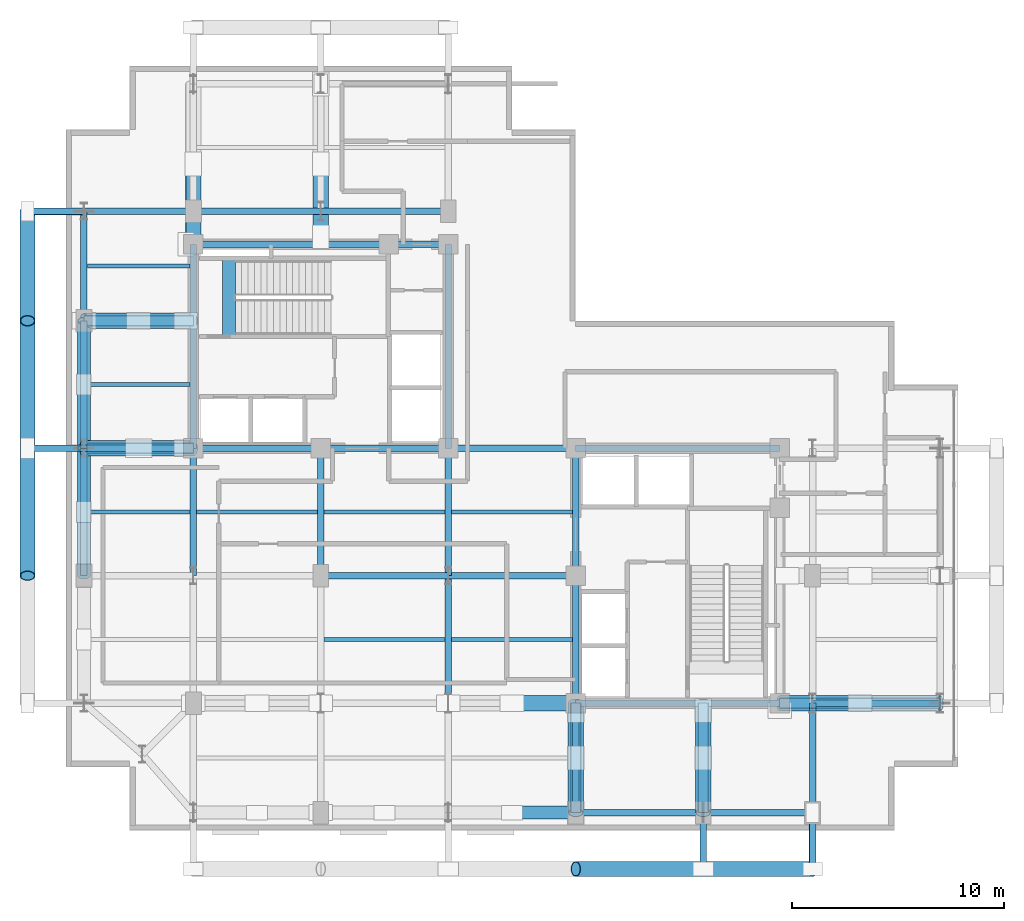
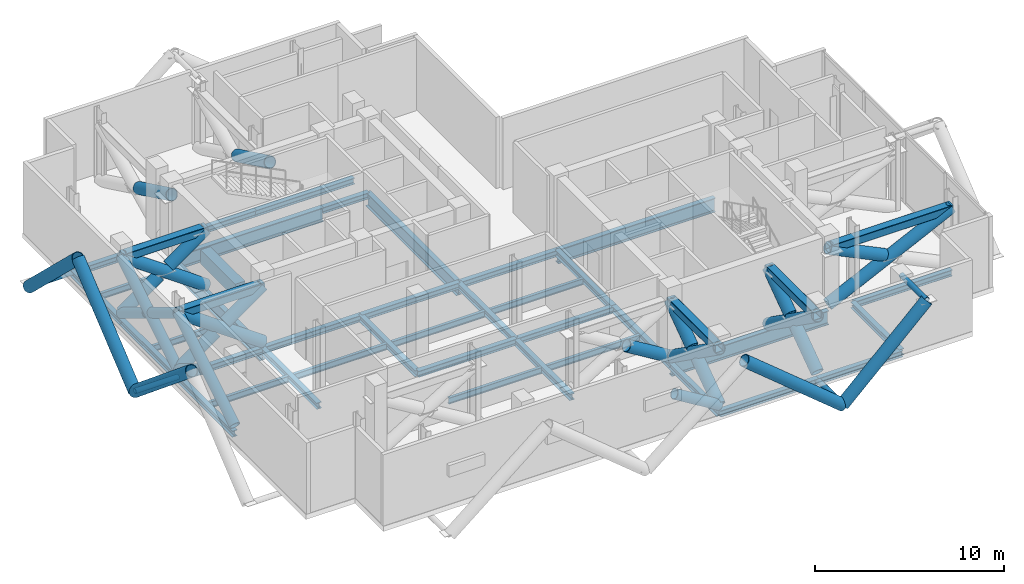
# One storey, part 2 of 8: 38 beams, 37 members.
"""IFC4 building model written with IfcOpenShell, lengths in metres."""

from ifc_helpers import new_model, si_unit, direction, frame, origin, origin_2d, place, context, subcontext, project, spatial, rectangle, hollow_rectangle, hollow_circle, i_section, extrude, material, material_profile, profile_set, type_object, element, save


model = new_model("IFC4")

# Units and contexts
model_context = context("Model", 3, precision=1e-05, world=origin(), true_north=direction((0.0, 1.0)))
body_context = subcontext(model_context, "Body", "Model", "MODEL_VIEW")
ifc_project = project(units=[si_unit("LENGTHUNIT", "METRE"), si_unit("AREAUNIT", "SQUARE_METRE"), si_unit("VOLUMEUNIT", "CUBIC_METRE"), si_unit("PLANEANGLEUNIT", "RADIAN"), si_unit("MASSUNIT", "GRAM", prefix="KILO"), si_unit("THERMODYNAMICTEMPERATUREUNIT", "KELVIN"), si_unit("POWERUNIT", "WATT")], contexts=[model_context])

# Site, building, storey
site_placement = place(None, origin())
site = spatial("IfcSite", under=ifc_project, at=site_placement, CompositionType="ELEMENT")
building_placement = place(site_placement, origin())
building = spatial("IfcBuilding", under=site, at=building_placement, Name="Svarakhadi Broadcast Tower", CompositionType="ELEMENT")
storey_placement = place(building_placement, frame((0.0, 0.0, 234.89990234375)))
storey = spatial("IfcBuildingStorey", under=building, at=storey_placement, Name="L58", CompositionType="ELEMENT", Elevation=234.89990234375)

# Beams
ifc_material_1 = material(Name="Steel S355J2 (IS 2062 E350C)", Category="steel")
ifc_material_profile_1 = material_profile(ifc_material_1, i_section(OverallWidth=0.179931640625, OverallDepth=0.39990234375, WebThickness=0.008544921875, FlangeThickness=0.013427734375, FilletRadius=0.02099609375, at=origin_2d()), Name="NPB 400x180x66")
ifc_profile_set_1 = profile_set([ifc_material_profile_1], Name="Steel S355J2 (IS 2062 E350C)")
beam_type_1 = type_object("IfcBeamType", Name="Beam_NPB400", PredefinedType="BEAM", material=ifc_profile_set_1)
for number, where, z_axis, x_axis, name in (
    (1, (1.010009765625, 15.0, -0.52490234375), (1.0, 0.0, 0.0), (0.0, 1.0, 0.0), "L58 Secondary Composite Beam SB002"),
    (2, (1.010009765625, 21.0, -0.52490234375), (1.0, 0.0, 0.0), (0.0, 1.0, 0.0), "L58 Secondary Composite Beam SB003"),
    (3, (1.010009765625, 26.574951171875, -0.52490234375), (1.0, 0.0, 0.0), (0.0, 1.0, 0.0), "L58 Secondary Composite Beam SB004"),
):
    element("IfcBeam", number, at=place(storey_placement, frame(where, z_axis=z_axis, x_axis=x_axis)), inside=storey, type_object=beam_type_1, Name=name, PredefinedType="BEAM", context=body_context, shape_type="SweptSolid", body=[
        extrude(i_section(OverallWidth=0.179931640625, OverallDepth=0.39990234375, WebThickness=0.008544921875, FlangeThickness=0.013427734375, FilletRadius=0.02099609375, at=origin_2d()), origin(), (0.0, 0.0, 1.0), 4.830078125),
    ])
for number, where, z_axis, x_axis, name in (
    (4, (6.159912109375, 15.0, -0.52490234375), (1.0, 0.0, 0.0), (0.0, 1.0, 0.0), "L58 Secondary Composite Beam SB007"),
    (5, (12.159912109375, 9.0, -0.52490234375), (1.0, 0.0, 0.0), (0.0, 1.0, 0.0), "L58 Secondary Composite Beam SB010"),
    (6, (12.159912109375, 15.0, -0.52490234375), (1.0, 0.0, 0.0), (0.0, 1.0, 0.0), "L58 Secondary Composite Beam SB011"),
    (7, (18.159912109375, 9.0, -0.52490234375), (1.0, 0.0, 0.0), (0.0, 1.0, 0.0), "L58 Secondary Composite Beam SB014"),
    (8, (18.159912109375, 15.0, -0.52490234375), (1.0, 0.0, 0.0), (0.0, 1.0, 0.0), "L58 Secondary Composite Beam SB015"),
):
    element("IfcBeam", number, at=place(storey_placement, frame(where, z_axis=z_axis, x_axis=x_axis)), inside=storey, type_object=beam_type_1, Name=name, PredefinedType="BEAM", context=body_context, shape_type="SweptSolid", body=[
        extrude(i_section(OverallWidth=0.179931640625, OverallDepth=0.39990234375, WebThickness=0.008544921875, FlangeThickness=0.013427734375, FilletRadius=0.02099609375, at=origin_2d()), origin(), (0.0, 0.0, 1.0), 5.68017578125),
    ])

# Members
ifc_material_2 = material(Name="Steel S460ML (IS 2062 E450BR)", Category="steel")
ifc_material_profile_2 = material_profile(ifc_material_2, hollow_circle(Radius=0.304931640625, WallThickness=0.030029296875, at=origin_2d()), Name="CHS 610x30")
ifc_profile_set_2 = profile_set([ifc_material_profile_2], Name="Steel S460ML (IS 2062 E450BR)")
member_type_1 = type_object("IfcMemberType", Name="Belt_Brace_BT01", PredefinedType="BRACE", material=ifc_profile_set_2)
member_1_placement = place(storey_placement, frame((24.0, 0.85009765625, 0.0), z_axis=(-0.854339667443, 0.0, 0.519715049458), x_axis=(0.0, -1.0, 0.0)))
element("IfcMember", 9, at=member_1_placement, inside=storey, type_object=member_type_1, Name="L58 Perimeter Belt Truss Diagonal BT-03B1", PredefinedType="BRACE", context=body_context, shape_type="SweptSolid", body=[
    extrude(hollow_circle(Radius=0.304931640625, WallThickness=0.030029296875, at=origin_2d()), origin(), (0.0, 0.0, 1.0), 3.20654296875),
])
member_2_placement = place(storey_placement, frame((0.85009765625, 12.0, 0.0), z_axis=(0.0, 0.854326743865, 0.519736293438), x_axis=(-1.0, 0.0, 0.0)))
element("IfcMember", 10, at=member_2_placement, inside=storey, type_object=member_type_1, Name="L58 Perimeter Belt Truss Diagonal BT-05A", PredefinedType="BRACE", context=body_context, shape_type="SweptSolid", body=[
    extrude(hollow_circle(Radius=0.304931640625, WallThickness=0.030029296875, at=origin_2d()), origin(), (0.0, 0.0, 1.0), 7.023193359375),
])
member_3_placement = place(storey_placement, frame((0.85009765625, 18.0, 0.0), z_axis=(0.0, -0.854339667443, 0.519715049458), x_axis=(1.0, 0.0, 0.0)))
element("IfcMember", 11, at=member_3_placement, inside=storey, type_object=member_type_1, Name="L58 Perimeter Belt Truss Diagonal BT-05B1", PredefinedType="BRACE", context=body_context, shape_type="SweptSolid", body=[
    extrude(hollow_circle(Radius=0.304931640625, WallThickness=0.030029296875, at=origin_2d()), origin(), (0.0, 0.0, 1.0), 3.20654296875),
])
member_4_placement = place(storey_placement, frame((0.85009765625, 18.0, 0.0), z_axis=(0.0, 0.854326743865, 0.519736293438), x_axis=(-1.0, 0.0, 0.0)))
element("IfcMember", 12, at=member_4_placement, inside=storey, type_object=member_type_1, Name="L58 Perimeter Belt Truss Diagonal BT-06A", PredefinedType="BRACE", context=body_context, shape_type="SweptSolid", body=[
    extrude(hollow_circle(Radius=0.304931640625, WallThickness=0.030029296875, at=origin_2d()), origin(), (0.0, 0.0, 1.0), 7.023193359375),
])
for number, where, z_axis, x_axis, name in (
    (13, (0.85009765625, 24.0, 0.0), (0.0, -0.854339667443, 0.519715049458), (1.0, 0.0, 0.0), "L58 Perimeter Belt Truss Diagonal BT-06B1"),
    (14, (0.85009765625, 20.739501953125, 1.983642578125), (0.0, -0.854339667443, 0.519715049458), (1.0, 0.0, 0.0), "L58 Perimeter Belt Truss Diagonal BT-06B2"),
):
    element("IfcMember", number, at=place(storey_placement, frame(where, z_axis=z_axis, x_axis=x_axis)), inside=storey, type_object=member_type_1, Name=name, PredefinedType="BRACE", context=body_context, shape_type="SweptSolid", body=[
        extrude(hollow_circle(Radius=0.304931640625, WallThickness=0.030029296875, at=origin_2d()), origin(), (0.0, 0.0, 1.0), 3.20654296875),
    ])

# Beam
ifc_material_3 = material(Name="Concrete C50/60 (IS 456 M60)", Category="concrete")
ifc_material_profile_3 = material_profile(ifc_material_3, rectangle(XDim=0.60009765625, YDim=0.89990234375, at=origin_2d()), Name="RC 600x900")
ifc_profile_set_3 = profile_set([ifc_material_profile_3], Name="Concrete C50/60 (IS 456 M60)")
beam_type_2 = type_object("IfcBeamType", Name="Coupling_RC600", PredefinedType="USERDEFINED", material=ifc_profile_set_3)
beam_1_placement = place(storey_placement, frame((7.679931640625, 23.260009765625, -0.449951171875), z_axis=(0.0, 1.0, 0.0), x_axis=(-1.0, 0.0, 0.0)))
element("IfcBeam", 15, at=beam_1_placement, inside=storey, type_object=beam_type_2, Name="L58 Stair ST-01 Landing Throat Trimmer Beam CB-01", ObjectType="GIRDER", PredefinedType="USERDEFINED", context=body_context, shape_type="SweptSolid", body=[
    extrude(rectangle(XDim=0.60009765625, YDim=0.89990234375, at=origin_2d()), origin(), (0.0, 0.0, 1.0), 3.679931640625),
])

# Members
ifc_material_profile_4 = material_profile(ifc_material_2, hollow_circle(Radius=0.35546875, WallThickness=0.034912109375, at=origin_2d()), Name="CHS 711x35")
ifc_profile_set_4 = profile_set([ifc_material_profile_4], Name="Steel S460ML (IS 2062 E450BR)")
member_type_2 = type_object("IfcMemberType", Name="Exo_Brace_CHS711", PredefinedType="BRACE", material=ifc_profile_set_4)
member_5_placement = place(storey_placement, frame((30.0, -1.800048828125, -0.48681640625), z_axis=(-0.771345545027, 0.0, 0.636416569683), x_axis=(0.0, -1.0, 0.0)))
element("IfcMember", 16, at=member_5_placement, inside=storey, type_object=member_type_2, Name="L58 Exposed Bronze Exoskeleton Diagonal S04", PredefinedType="BRACE", context=body_context, shape_type="SweptSolid", body=[
    extrude(hollow_circle(Radius=0.35546875, WallThickness=0.034912109375, at=origin_2d()), origin(), (0.0, 0.0, 1.0), 7.778564453125),
])
member_6_placement = place(storey_placement, frame((30.0, -1.800048828125, -0.48681640625), z_axis=(0.720930256129, 0.0, 0.693007623188), x_axis=(0.0, 1.0, 0.0)))
element("IfcMember", 17, at=member_6_placement, inside=storey, type_object=member_type_2, Name="L58 Exposed Bronze Exoskeleton Diagonal S05", PredefinedType="BRACE", context=body_context, shape_type="SweptSolid", body=[
    extrude(hollow_circle(Radius=0.35546875, WallThickness=0.034912109375, at=origin_2d()), origin(), (0.0, 0.0, 1.0), 7.143310546875),
])
for number, where, z_axis, x_axis, name in (
    (18, (-1.800048828125, 18.0, -0.48681640625), (0.0, -0.771345545027, 0.636416569683), (1.0, 0.0, 0.0), "L58 Exposed Bronze Exoskeleton Diagonal W07"),
    (19, (-1.800048828125, 18.0, -0.48681640625), (0.0, 0.771345545027, 0.636416569683), (-1.0, 0.0, 0.0), "L58 Exposed Bronze Exoskeleton Diagonal W08"),
):
    element("IfcMember", number, at=place(storey_placement, frame(where, z_axis=z_axis, x_axis=x_axis)), inside=storey, type_object=member_type_2, Name=name, PredefinedType="BRACE", context=body_context, shape_type="SweptSolid", body=[
        extrude(hollow_circle(Radius=0.35546875, WallThickness=0.034912109375, at=origin_2d()), origin(), (0.0, 0.0, 1.0), 7.778564453125),
    ])
member_7_placement = place(storey_placement, frame((-1.800048828125, 29.14990234375, -0.48681640625), z_axis=(0.0, -0.720930256129, 0.693007623188), x_axis=(1.0, 0.0, 0.0)))
element("IfcMember", 20, at=member_7_placement, inside=storey, type_object=member_type_2, Name="L58 Exposed Bronze Exoskeleton Diagonal W09", PredefinedType="BRACE", context=body_context, shape_type="SweptSolid", body=[
    extrude(hollow_circle(Radius=0.35546875, WallThickness=0.034912109375, at=origin_2d()), origin(), (0.0, 0.0, 1.0), 7.143310546875),
])
ifc_material_profile_5 = material_profile(ifc_material_2, hollow_circle(Radius=0.161865234375, WallThickness=0.01611328125, at=origin_2d()), Name="CHS 323.9x16")
ifc_profile_set_5 = profile_set([ifc_material_profile_5], Name="Steel S460ML (IS 2062 E450BR)")
member_type_3 = type_object("IfcMemberType", Name="Exo_Radial_Strut_Z2", PredefinedType="STRUT", material=ifc_profile_set_5)
for number, where, z_axis, x_axis, name in (
    (21, (30.0, -1.800048828125, -0.48681640625), (0.0, 1.0, 0.0), (-1.0, 0.0, 0.0), "L58 Exoskeleton Radial Tie Strut S03"),
    (22, (35.14990234375, -1.800048828125, 4.463623046875), (0.0, 1.0, 0.0), (-1.0, 0.0, 0.0), "L58 Exoskeleton Setback Top Radial Tie S05"),
    (23, (-1.800048828125, 18.0, -0.48681640625), (1.0, 0.0, 0.0), (0.0, 1.0, 0.0), "L58 Exoskeleton Radial Tie Strut W05"),
    (24, (-1.800048828125, 29.14990234375, -0.48681640625), (1.0, 0.0, 0.0), (0.0, 1.0, 0.0), "L58 Exoskeleton Radial Tie Strut W06"),
):
    element("IfcMember", number, at=place(storey_placement, frame(where, z_axis=z_axis, x_axis=x_axis)), inside=storey, type_object=member_type_3, Name=name, PredefinedType="STRUT", context=body_context, shape_type="SweptSolid", body=[
        extrude(hollow_circle(Radius=0.161865234375, WallThickness=0.01611328125, at=origin_2d()), origin(), (0.0, 0.0, 1.0), 2.650146484375),
    ])

# Beams
ifc_material_profile_6 = material_profile(ifc_material_1, i_section(OverallWidth=0.300048828125, OverallDepth=0.39990234375, WebThickness=0.013427734375, FlangeThickness=0.02392578125, FilletRadius=0.027099609375, at=origin_2d()), Name="WPB 400x300x155")
ifc_profile_set_6 = profile_set([ifc_material_profile_6], Name="Steel S355J2 (IS 2062 E350C)")
beam_type_3 = type_object("IfcBeamType", Name="Girder_WPB400", PredefinedType="USERDEFINED", material=ifc_profile_set_6)
beam_2_placement = place(storey_placement, frame((24.0, 0.85009765625, -0.52490234375), z_axis=(1.0, 0.0, 0.0), x_axis=(0.0, 1.0, 0.0)))
element("IfcBeam", 25, at=beam_2_placement, inside=storey, type_object=beam_type_3, Name="L58 Primary E-W Girder G007", ObjectType="GIRDER", PredefinedType="USERDEFINED", context=body_context, shape_type="SweptSolid", body=[
    extrude(i_section(OverallWidth=0.300048828125, OverallDepth=0.39990234375, WebThickness=0.013427734375, FlangeThickness=0.02392578125, FilletRadius=0.027099609375, at=origin_2d()), origin(), (0.0, 0.0, 1.0), 6.0),
])
beam_3_placement = place(storey_placement, frame((30.0, 0.85009765625, -0.52490234375), z_axis=(1.0, 0.0, 0.0), x_axis=(0.0, 1.0, 0.0)))
element("IfcBeam", 26, at=beam_3_placement, inside=storey, type_object=beam_type_3, Name="L58 Primary E-W Girder G008", ObjectType="GIRDER", PredefinedType="USERDEFINED", context=body_context, shape_type="SweptSolid", body=[
    extrude(i_section(OverallWidth=0.300048828125, OverallDepth=0.39990234375, WebThickness=0.013427734375, FlangeThickness=0.02392578125, FilletRadius=0.027099609375, at=origin_2d()), origin(), (0.0, 0.0, 1.0), 5.14990234375),
])
for number, where, z_axis, x_axis, name in (
    (27, (35.14990234375, 6.0, -0.52490234375), (1.0, 0.0, 0.0), (0.0, 1.0, 0.0), "L58 Primary E-W Girder G014"),
    (28, (12.0, 12.0, -0.52490234375), (1.0, 0.0, 0.0), (0.0, 1.0, 0.0), "L58 Primary E-W Girder G017"),
    (29, (18.0, 12.0, -0.52490234375), (1.0, 0.0, 0.0), (0.0, 1.0, 0.0), "L58 Primary E-W Girder G018"),
):
    element("IfcBeam", number, at=place(storey_placement, frame(where, z_axis=z_axis, x_axis=x_axis)), inside=storey, type_object=beam_type_3, Name=name, ObjectType="GIRDER", PredefinedType="USERDEFINED", context=body_context, shape_type="SweptSolid", body=[
        extrude(i_section(OverallWidth=0.300048828125, OverallDepth=0.39990234375, WebThickness=0.013427734375, FlangeThickness=0.02392578125, FilletRadius=0.027099609375, at=origin_2d()), origin(), (0.0, 0.0, 1.0), 6.0),
    ])
beam_4_placement = place(storey_placement, frame((0.85009765625, 18.0, -0.52490234375), z_axis=(1.0, 0.0, 0.0), x_axis=(0.0, 1.0, 0.0)))
element("IfcBeam", 30, at=beam_4_placement, inside=storey, type_object=beam_type_3, Name="L58 Primary E-W Girder G020", ObjectType="GIRDER", PredefinedType="USERDEFINED", context=body_context, shape_type="SweptSolid", body=[
    extrude(i_section(OverallWidth=0.300048828125, OverallDepth=0.39990234375, WebThickness=0.013427734375, FlangeThickness=0.02392578125, FilletRadius=0.027099609375, at=origin_2d()), origin(), (0.0, 0.0, 1.0), 5.14990234375),
])
for number, where, z_axis, x_axis, name in (
    (31, (6.0, 18.0, -0.52490234375), (1.0, 0.0, 0.0), (0.0, 1.0, 0.0), "L58 Primary E-W Girder G021"),
    (32, (12.0, 18.0, -0.52490234375), (1.0, 0.0, 0.0), (0.0, 1.0, 0.0), "L58 Primary E-W Girder G022"),
    (33, (18.0, 18.0, -0.52490234375), (1.0, 0.0, 0.0), (0.0, 1.0, 0.0), "L58 Primary E-W Girder G023"),
):
    element("IfcBeam", number, at=place(storey_placement, frame(where, z_axis=z_axis, x_axis=x_axis)), inside=storey, type_object=beam_type_3, Name=name, ObjectType="GIRDER", PredefinedType="USERDEFINED", context=body_context, shape_type="SweptSolid", body=[
        extrude(i_section(OverallWidth=0.300048828125, OverallDepth=0.39990234375, WebThickness=0.013427734375, FlangeThickness=0.02392578125, FilletRadius=0.027099609375, at=origin_2d()), origin(), (0.0, 0.0, 1.0), 6.0),
    ])
beam_5_placement = place(storey_placement, frame((15.199951171875, 27.60009765625, -0.52490234375), z_axis=(1.0, 0.0, 0.0), x_axis=(0.0, 1.0, 0.0)))
element("IfcBeam", 34, at=beam_5_placement, inside=storey, type_object=beam_type_3, Name="L58 Primary E-W Girder G027", ObjectType="GIRDER", PredefinedType="USERDEFINED", context=body_context, shape_type="SweptSolid", body=[
    extrude(i_section(OverallWidth=0.300048828125, OverallDepth=0.39990234375, WebThickness=0.013427734375, FlangeThickness=0.02392578125, FilletRadius=0.027099609375, at=origin_2d()), origin(), (0.0, 0.0, 1.0), 2.800048828125),
])
beam_6_placement = place(storey_placement, frame((0.85009765625, 29.14990234375, -0.52490234375), z_axis=(1.0, 0.0, 0.0), x_axis=(0.0, 1.0, 0.0)))
element("IfcBeam", 35, at=beam_6_placement, inside=storey, type_object=beam_type_3, Name="L58 Primary E-W Girder G028", ObjectType="GIRDER", PredefinedType="USERDEFINED", context=body_context, shape_type="SweptSolid", body=[
    extrude(i_section(OverallWidth=0.300048828125, OverallDepth=0.39990234375, WebThickness=0.013427734375, FlangeThickness=0.02392578125, FilletRadius=0.027099609375, at=origin_2d()), origin(), (0.0, 0.0, 1.0), 5.14990234375),
])
for number, where, z_axis, x_axis, name in (
    (36, (6.0, 29.14990234375, -0.52490234375), (1.0, 0.0, 0.0), (0.0, 1.0, 0.0), "L58 Primary E-W Girder G029"),
    (37, (12.0, 29.14990234375, -0.52490234375), (1.0, 0.0, 0.0), (0.0, 1.0, 0.0), "L58 Primary E-W Girder G030"),
    (38, (0.85009765625, 12.0, -0.52490234375), (0.0, 1.0, 0.0), (-1.0, 0.0, 0.0), "L58 Primary N-S Girder G034"),
    (39, (0.85009765625, 18.0, -0.52490234375), (0.0, 1.0, 0.0), (-1.0, 0.0, 0.0), "L58 Primary N-S Girder G035"),
):
    element("IfcBeam", number, at=place(storey_placement, frame(where, z_axis=z_axis, x_axis=x_axis)), inside=storey, type_object=beam_type_3, Name=name, ObjectType="GIRDER", PredefinedType="USERDEFINED", context=body_context, shape_type="SweptSolid", body=[
        extrude(i_section(OverallWidth=0.300048828125, OverallDepth=0.39990234375, WebThickness=0.013427734375, FlangeThickness=0.02392578125, FilletRadius=0.027099609375, at=origin_2d()), origin(), (0.0, 0.0, 1.0), 6.0),
    ])
beam_7_placement = place(storey_placement, frame((0.85009765625, 24.0, -0.52490234375), z_axis=(0.0, 1.0, 0.0), x_axis=(-1.0, 0.0, 0.0)))
element("IfcBeam", 40, at=beam_7_placement, inside=storey, type_object=beam_type_3, Name="L58 Primary N-S Girder G036", ObjectType="GIRDER", PredefinedType="USERDEFINED", context=body_context, shape_type="SweptSolid", body=[
    extrude(i_section(OverallWidth=0.300048828125, OverallDepth=0.39990234375, WebThickness=0.013427734375, FlangeThickness=0.02392578125, FilletRadius=0.027099609375, at=origin_2d()), origin(), (0.0, 0.0, 1.0), 5.14990234375),
])
for number, where, z_axis, x_axis, name in (
    (41, (6.0, 12.0, -0.52490234375), (0.0, 1.0, 0.0), (-1.0, 0.0, 0.0), "L58 Primary N-S Girder G039"),
    (42, (12.0, 12.0, -0.52490234375), (0.0, 1.0, 0.0), (-1.0, 0.0, 0.0), "L58 Primary N-S Girder G044"),
    (43, (18.0, 6.0, -0.52490234375), (0.0, 1.0, 0.0), (-1.0, 0.0, 0.0), "L58 Primary N-S Girder G047"),
    (44, (18.0, 12.0, -0.52490234375), (0.0, 1.0, 0.0), (-1.0, 0.0, 0.0), "L58 Primary N-S Girder G048"),
):
    element("IfcBeam", number, at=place(storey_placement, frame(where, z_axis=z_axis, x_axis=x_axis)), inside=storey, type_object=beam_type_3, Name=name, ObjectType="GIRDER", PredefinedType="USERDEFINED", context=body_context, shape_type="SweptSolid", body=[
        extrude(i_section(OverallWidth=0.300048828125, OverallDepth=0.39990234375, WebThickness=0.013427734375, FlangeThickness=0.02392578125, FilletRadius=0.027099609375, at=origin_2d()), origin(), (0.0, 0.0, 1.0), 6.0),
    ])
beam_8_placement = place(storey_placement, frame((24.0, 0.85009765625, -0.52490234375), z_axis=(0.0, 1.0, 0.0), x_axis=(-1.0, 0.0, 0.0)))
element("IfcBeam", 45, at=beam_8_placement, inside=storey, type_object=beam_type_3, Name="L58 Primary N-S Girder G051", ObjectType="GIRDER", PredefinedType="USERDEFINED", context=body_context, shape_type="SweptSolid", body=[
    extrude(i_section(OverallWidth=0.300048828125, OverallDepth=0.39990234375, WebThickness=0.013427734375, FlangeThickness=0.02392578125, FilletRadius=0.027099609375, at=origin_2d()), origin(), (0.0, 0.0, 1.0), 5.14990234375),
])
for number, where, z_axis, x_axis, name in (
    (46, (24.0, 6.0, -0.52490234375), (0.0, 1.0, 0.0), (-1.0, 0.0, 0.0), "L58 Primary N-S Girder G052"),
    (47, (24.0, 12.0, -0.52490234375), (0.0, 1.0, 0.0), (-1.0, 0.0, 0.0), "L58 Primary N-S Girder G053"),
):
    element("IfcBeam", number, at=place(storey_placement, frame(where, z_axis=z_axis, x_axis=x_axis)), inside=storey, type_object=beam_type_3, Name=name, ObjectType="GIRDER", PredefinedType="USERDEFINED", context=body_context, shape_type="SweptSolid", body=[
        extrude(i_section(OverallWidth=0.300048828125, OverallDepth=0.39990234375, WebThickness=0.013427734375, FlangeThickness=0.02392578125, FilletRadius=0.027099609375, at=origin_2d()), origin(), (0.0, 0.0, 1.0), 6.0),
    ])
beam_9_placement = place(storey_placement, frame((35.14990234375, 0.85009765625, -0.52490234375), z_axis=(0.0, 1.0, 0.0), x_axis=(-1.0, 0.0, 0.0)))
element("IfcBeam", 48, at=beam_9_placement, inside=storey, type_object=beam_type_3, Name="L58 Primary N-S Girder G056", ObjectType="GIRDER", PredefinedType="USERDEFINED", context=body_context, shape_type="SweptSolid", body=[
    extrude(i_section(OverallWidth=0.300048828125, OverallDepth=0.39990234375, WebThickness=0.013427734375, FlangeThickness=0.02392578125, FilletRadius=0.027099609375, at=origin_2d()), origin(), (0.0, 0.0, 1.0), 5.14990234375),
])
ifc_material_profile_7 = material_profile(ifc_material_2, i_section(OverallWidth=0.300048828125, OverallDepth=0.89990234375, WebThickness=0.0185546875, FlangeThickness=0.034912109375, FilletRadius=0.030029296875, at=origin_2d()), Name="WPB 900x300x291")
ifc_profile_set_7 = profile_set([ifc_material_profile_7], Name="Steel S460ML (IS 2062 E450BR)")
beam_type_4 = type_object("IfcBeamType", Name="Girder_WPB900", PredefinedType="USERDEFINED", material=ifc_profile_set_7)
for number, where, z_axis, x_axis, name in (
    (49, (24.0, 6.0, -0.77490234375), (1.0, 0.0, 0.0), (0.0, 1.0, 0.0), "L58 Primary E-W Girder G013"),
    (50, (24.0, 18.0, -0.77490234375), (1.0, 0.0, 0.0), (0.0, 1.0, 0.0), "L58 Primary E-W Girder G024"),
):
    element("IfcBeam", number, at=place(storey_placement, frame(where, z_axis=z_axis, x_axis=x_axis)), inside=storey, type_object=beam_type_4, Name=name, ObjectType="GIRDER", PredefinedType="USERDEFINED", context=body_context, shape_type="SweptSolid", body=[
        extrude(i_section(OverallWidth=0.300048828125, OverallDepth=0.89990234375, WebThickness=0.0185546875, FlangeThickness=0.034912109375, FilletRadius=0.030029296875, at=origin_2d()), origin(), (0.0, 0.0, 1.0), 9.60009765625),
    ])
beam_10_placement = place(storey_placement, frame((6.0, 27.60009765625, -0.77490234375), z_axis=(1.0, 0.0, 0.0), x_axis=(0.0, 1.0, 0.0)))
element("IfcBeam", 51, at=beam_10_placement, inside=storey, type_object=beam_type_4, Name="L58 Primary E-W Girder G026", ObjectType="GIRDER", PredefinedType="USERDEFINED", context=body_context, shape_type="SweptSolid", body=[
    extrude(i_section(OverallWidth=0.300048828125, OverallDepth=0.89990234375, WebThickness=0.0185546875, FlangeThickness=0.034912109375, FilletRadius=0.030029296875, at=origin_2d()), origin(), (0.0, 0.0, 1.0), 9.199951171875),
])
for number, where, z_axis, x_axis, name in (
    (52, (6.0, 18.0, -0.77490234375), (0.0, 1.0, 0.0), (-1.0, 0.0, 0.0), "L58 Primary N-S Girder G040"),
    (53, (18.0, 18.0, -0.77490234375), (0.0, 1.0, 0.0), (-1.0, 0.0, 0.0), "L58 Primary N-S Girder G049"),
):
    element("IfcBeam", number, at=place(storey_placement, frame(where, z_axis=z_axis, x_axis=x_axis)), inside=storey, type_object=beam_type_4, Name=name, ObjectType="GIRDER", PredefinedType="USERDEFINED", context=body_context, shape_type="SweptSolid", body=[
        extrude(i_section(OverallWidth=0.300048828125, OverallDepth=0.89990234375, WebThickness=0.0185546875, FlangeThickness=0.034912109375, FilletRadius=0.030029296875, at=origin_2d()), origin(), (0.0, 0.0, 1.0), 9.60009765625),
    ])

# Members
ifc_material_profile_8 = material_profile(ifc_material_2, hollow_circle(Radius=0.35546875, WallThickness=0.034912109375, at=origin_2d()), Name="CHS 711x35")
ifc_profile_set_8 = profile_set([ifc_material_profile_8], Name="Steel S460ML (IS 2062 E450BR)")
member_type_4 = type_object("IfcMemberType", Name="Outrigger_Brace_OT01", PredefinedType="BRACE", material=ifc_profile_set_8)
member_8_placement = place(storey_placement, frame((6.0, 18.0, 0.0), z_axis=(-0.81585265658, 0.0, 0.578259840169), x_axis=(0.0, -1.0, 0.0)))
element("IfcMember", 54, at=member_8_placement, inside=storey, type_object=member_type_4, Name="L58 Core-to-Perimeter Outrigger Truss Diagonal OT-01A", PredefinedType="BRACE", context=body_context, shape_type="SweptSolid", body=[
    extrude(hollow_circle(Radius=0.35546875, WallThickness=0.034912109375, at=origin_2d()), origin(), (0.0, 0.0, 1.0), 6.312255859375),
])
for number, where, z_axis, x_axis, name in (
    (55, (0.85009765625, 18.0, 0.0), (0.815871971829, 0.0, 0.578232587792), (0.0, 1.0, 0.0), "L58 Core-to-Perimeter Outrigger Truss Diagonal OT-01B1"),
    (56, (3.715087890625, 18.0, 2.03076171875), (0.815871971829, 0.0, 0.578232587792), (0.0, 1.0, 0.0), "L58 Core-to-Perimeter Outrigger Truss Diagonal OT-01B2"),
):
    element("IfcMember", number, at=place(storey_placement, frame(where, z_axis=z_axis, x_axis=x_axis)), inside=storey, type_object=member_type_4, Name=name, PredefinedType="BRACE", context=body_context, shape_type="SweptSolid", body=[
        extrude(hollow_circle(Radius=0.35546875, WallThickness=0.034912109375, at=origin_2d()), origin(), (0.0, 0.0, 1.0), 2.800537109375),
    ])
member_9_placement = place(storey_placement, frame((6.0, 24.0, 0.0), z_axis=(-0.81585265658, 0.0, 0.578259840169), x_axis=(0.0, -1.0, 0.0)))
element("IfcMember", 57, at=member_9_placement, inside=storey, type_object=member_type_4, Name="L58 Core-to-Perimeter Outrigger Truss Diagonal OT-02A", PredefinedType="BRACE", context=body_context, shape_type="SweptSolid", body=[
    extrude(hollow_circle(Radius=0.35546875, WallThickness=0.034912109375, at=origin_2d()), origin(), (0.0, 0.0, 1.0), 6.312255859375),
])
for number, where, z_axis, x_axis, name in (
    (58, (0.85009765625, 24.0, 0.0), (0.815871971829, 0.0, 0.578232587792), (0.0, 1.0, 0.0), "L58 Core-to-Perimeter Outrigger Truss Diagonal OT-02B1"),
    (59, (3.715087890625, 24.0, 2.03076171875), (0.815871971829, 0.0, 0.578232587792), (0.0, 1.0, 0.0), "L58 Core-to-Perimeter Outrigger Truss Diagonal OT-02B2"),
):
    element("IfcMember", number, at=place(storey_placement, frame(where, z_axis=z_axis, x_axis=x_axis)), inside=storey, type_object=member_type_4, Name=name, PredefinedType="BRACE", context=body_context, shape_type="SweptSolid", body=[
        extrude(hollow_circle(Radius=0.35546875, WallThickness=0.034912109375, at=origin_2d()), origin(), (0.0, 0.0, 1.0), 2.800537109375),
    ])
for number, where, z_axis, x_axis, name in (
    (60, (6.0, 31.054931640625, 1.979736328125), (0.0, -0.900290367053, 0.435289851698), (1.0, 0.0, 0.0), "L58 Core-to-Perimeter Outrigger Truss Diagonal OT-03B2"),
    (61, (12.0, 31.054931640625, 1.979736328125), (0.0, -0.900290367053, 0.435289851698), (1.0, 0.0, 0.0), "L58 Core-to-Perimeter Outrigger Truss Diagonal OT-04B2"),
):
    element("IfcMember", number, at=place(storey_placement, frame(where, z_axis=z_axis, x_axis=x_axis)), inside=storey, type_object=member_type_4, Name=name, PredefinedType="BRACE", context=body_context, shape_type="SweptSolid", body=[
        extrude(hollow_circle(Radius=0.35546875, WallThickness=0.034912109375, at=origin_2d()), origin(), (0.0, 0.0, 1.0), 3.83740234375),
    ])
member_10_placement = place(storey_placement, frame((24.0, 6.0, 0.0), z_axis=(0.0, -0.81585265658, 0.578259840169), x_axis=(1.0, 0.0, 0.0)))
element("IfcMember", 62, at=member_10_placement, inside=storey, type_object=member_type_4, Name="L58 Core-to-Perimeter Outrigger Truss Diagonal OT-05A", PredefinedType="BRACE", context=body_context, shape_type="SweptSolid", body=[
    extrude(hollow_circle(Radius=0.35546875, WallThickness=0.034912109375, at=origin_2d()), origin(), (0.0, 0.0, 1.0), 6.312255859375),
])
for number, where, z_axis, x_axis, name in (
    (63, (24.0, 0.85009765625, 0.0), (0.0, 0.815871971829, 0.578232587792), (-1.0, 0.0, 0.0), "L58 Core-to-Perimeter Outrigger Truss Diagonal OT-05B1"),
    (64, (24.0, 3.715087890625, 2.03076171875), (0.0, 0.815871971829, 0.578232587792), (-1.0, 0.0, 0.0), "L58 Core-to-Perimeter Outrigger Truss Diagonal OT-05B2"),
):
    element("IfcMember", number, at=place(storey_placement, frame(where, z_axis=z_axis, x_axis=x_axis)), inside=storey, type_object=member_type_4, Name=name, PredefinedType="BRACE", context=body_context, shape_type="SweptSolid", body=[
        extrude(hollow_circle(Radius=0.35546875, WallThickness=0.034912109375, at=origin_2d()), origin(), (0.0, 0.0, 1.0), 2.800537109375),
    ])
member_11_placement = place(storey_placement, frame((30.0, 6.0, 0.0), z_axis=(0.0, -0.81585265658, 0.578259840169), x_axis=(1.0, 0.0, 0.0)))
element("IfcMember", 65, at=member_11_placement, inside=storey, type_object=member_type_4, Name="L58 Core-to-Perimeter Outrigger Truss Diagonal OT-06A", PredefinedType="BRACE", context=body_context, shape_type="SweptSolid", body=[
    extrude(hollow_circle(Radius=0.35546875, WallThickness=0.034912109375, at=origin_2d()), origin(), (0.0, 0.0, 1.0), 6.312255859375),
])
for number, where, z_axis, x_axis, name in (
    (66, (30.0, 0.85009765625, 0.0), (0.0, 0.815871971829, 0.578232587792), (-1.0, 0.0, 0.0), "L58 Core-to-Perimeter Outrigger Truss Diagonal OT-06B1"),
    (67, (30.0, 3.715087890625, 2.03076171875), (0.0, 0.815871971829, 0.578232587792), (-1.0, 0.0, 0.0), "L58 Core-to-Perimeter Outrigger Truss Diagonal OT-06B2"),
):
    element("IfcMember", number, at=place(storey_placement, frame(where, z_axis=z_axis, x_axis=x_axis)), inside=storey, type_object=member_type_4, Name=name, PredefinedType="BRACE", context=body_context, shape_type="SweptSolid", body=[
        extrude(hollow_circle(Radius=0.35546875, WallThickness=0.034912109375, at=origin_2d()), origin(), (0.0, 0.0, 1.0), 2.800537109375),
    ])
member_12_placement = place(storey_placement, frame((33.60009765625, 6.0, 0.0), z_axis=(0.900298757438, 0.0, 0.435272497816), x_axis=(0.0, 1.0, 0.0)))
element("IfcMember", 68, at=member_12_placement, inside=storey, type_object=member_type_4, Name="L58 Core-to-Perimeter Outrigger Truss Diagonal OT-07A", PredefinedType="BRACE", context=body_context, shape_type="SweptSolid", body=[
    extrude(hollow_circle(Radius=0.35546875, WallThickness=0.034912109375, at=origin_2d()), origin(), (0.0, 0.0, 1.0), 8.385986328125),
])
member_13_placement = place(storey_placement, frame((37.054931640625, 6.0, 1.979736328125), z_axis=(-0.900290367053, 0.0, 0.435289851698), x_axis=(0.0, -1.0, 0.0)))
element("IfcMember", 69, at=member_13_placement, inside=storey, type_object=member_type_4, Name="L58 Core-to-Perimeter Outrigger Truss Diagonal OT-07B2", PredefinedType="BRACE", context=body_context, shape_type="SweptSolid", body=[
    extrude(hollow_circle(Radius=0.35546875, WallThickness=0.034912109375, at=origin_2d()), origin(), (0.0, 0.0, 1.0), 3.83740234375),
])
member_14_placement = place(storey_placement, frame((24.0, 6.0, 0.0), z_axis=(-0.854316541094, 0.0, 0.519753064072), x_axis=(0.0, -1.0, 0.0)))
element("IfcMember", 70, at=member_14_placement, inside=storey, type_object=member_type_4, Name="L58 Core-to-Perimeter Outrigger Truss Diagonal OT-09B1", PredefinedType="BRACE", context=body_context, shape_type="SweptSolid", body=[
    extrude(hollow_circle(Radius=0.35546875, WallThickness=0.034912109375, at=origin_2d()), origin(), (0.0, 0.0, 1.0), 3.156005859375),
])
ifc_material_profile_9 = material_profile(ifc_material_2, hollow_rectangle(XDim=0.5, YDim=0.5, WallThickness=0.02490234375, InnerFilletRadius=0.02490234375, OuterFilletRadius=0.0400390625, at=origin_2d()), Name="SHS 500x500x25")
ifc_profile_set_9 = profile_set([ifc_material_profile_9], Name="Steel S460ML (IS 2062 E450BR)")
member_type_5 = type_object("IfcMemberType", Name="Outrigger_Truss_Chord", PredefinedType="CHORD", material=ifc_profile_set_9)
for number, where, z_axis, x_axis, name in (
    (71, (6.0, 18.0, 3.650146484375), (-1.0, 0.0, 0.0), (0.0, -1.0, 0.0), "L58 Outrigger Truss Top Chord OC-01"),
    (72, (6.0, 24.0, 3.650146484375), (-1.0, 0.0, 0.0), (0.0, -1.0, 0.0), "L58 Outrigger Truss Top Chord OC-02"),
    (73, (24.0, 6.0, 3.650146484375), (0.0, -1.0, 0.0), (1.0, 0.0, 0.0), "L58 Outrigger Truss Top Chord OC-05"),
    (74, (30.0, 6.0, 3.650146484375), (0.0, -1.0, 0.0), (1.0, 0.0, 0.0), "L58 Outrigger Truss Top Chord OC-06"),
):
    element("IfcMember", number, at=place(storey_placement, frame(where, z_axis=z_axis, x_axis=x_axis)), inside=storey, type_object=member_type_5, Name=name, PredefinedType="CHORD", context=body_context, shape_type="SweptSolid", body=[
        extrude(hollow_rectangle(XDim=0.5, YDim=0.5, WallThickness=0.02490234375, InnerFilletRadius=0.02490234375, OuterFilletRadius=0.0400390625, at=origin_2d()), origin(), (0.0, 0.0, 1.0), 5.14990234375),
    ])
member_15_placement = place(storey_placement, frame((33.60009765625, 6.0, 3.650146484375), z_axis=(1.0, 0.0, 0.0), x_axis=(0.0, 1.0, 0.0)))
element("IfcMember", 75, at=member_15_placement, inside=storey, type_object=member_type_5, Name="L58 Outrigger Truss Top Chord OC-07", PredefinedType="CHORD", context=body_context, shape_type="SweptSolid", body=[
    extrude(hollow_rectangle(XDim=0.5, YDim=0.5, WallThickness=0.02490234375, InnerFilletRadius=0.02490234375, OuterFilletRadius=0.0400390625, at=origin_2d()), origin(), (0.0, 0.0, 1.0), 7.5498046875),
])

save(model, "model.ifc")
